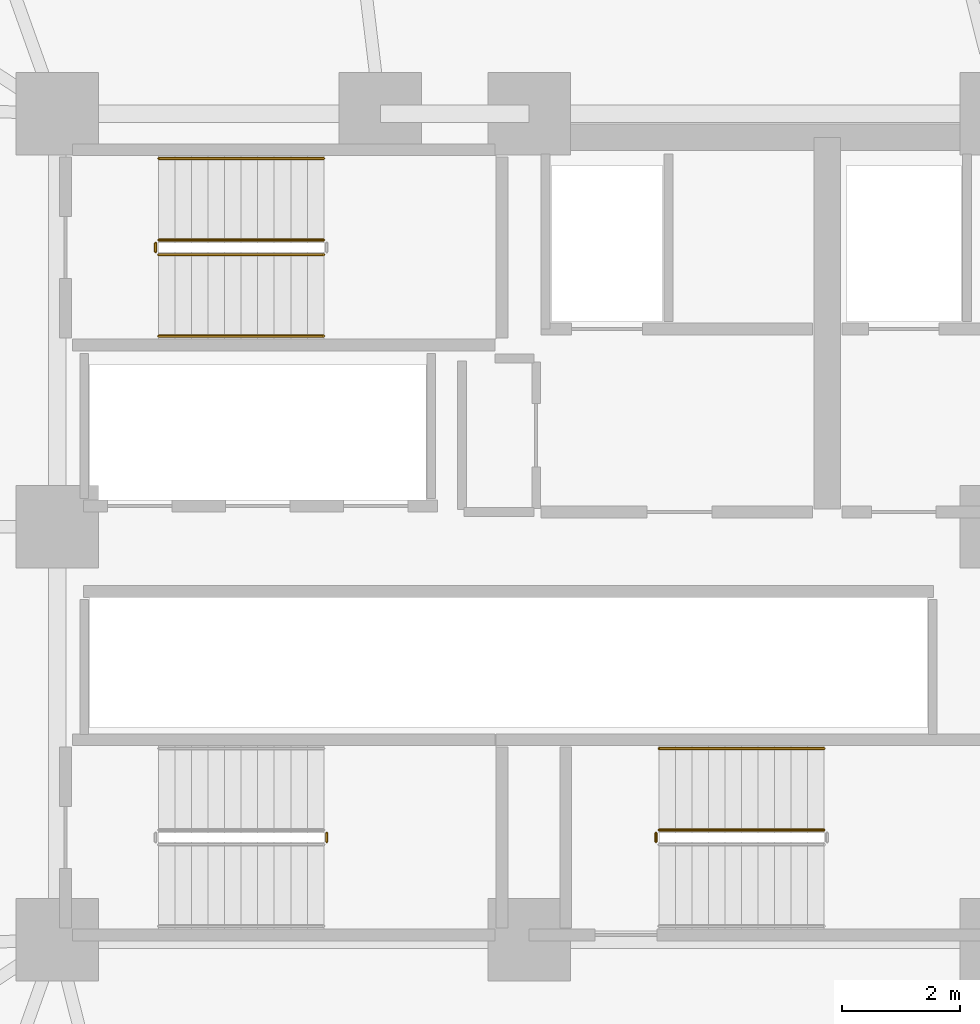
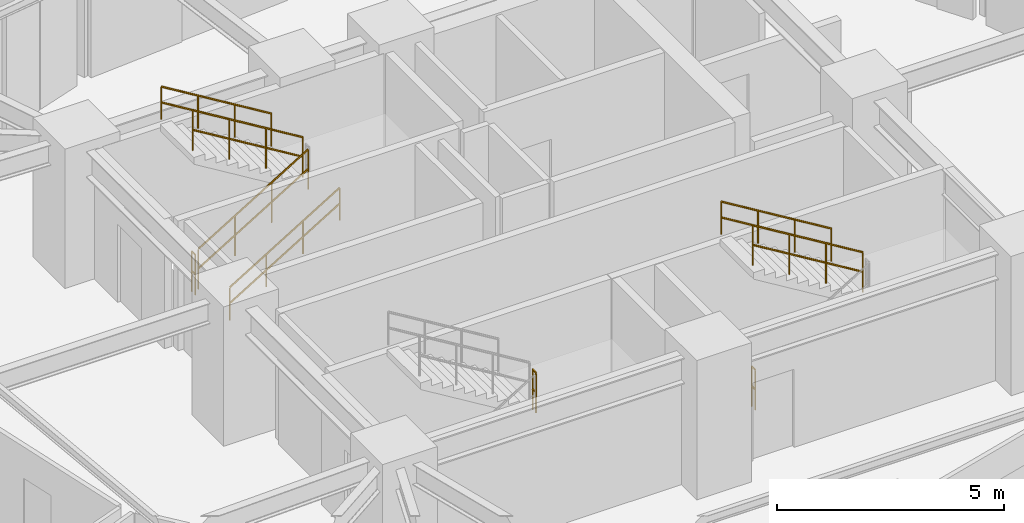
# One storey, part 31 of 33: 9 railings.
"""IFC4 building model written with IfcOpenShell, lengths in metres."""

from ifc_helpers import new_model, si_unit, direction, frame, origin, place, context, subcontext, project, spatial, polyline, outline, extrude, material, type_object, element, save


model = new_model("IFC4")

# Units and contexts
model_context = context("Model", 3, precision=1e-05, world=origin(), true_north=direction((0.0, 1.0)))
body_context = subcontext(model_context, "Body", "Model", "MODEL_VIEW")
ifc_project = project(units=[si_unit("LENGTHUNIT", "METRE"), si_unit("AREAUNIT", "SQUARE_METRE"), si_unit("VOLUMEUNIT", "CUBIC_METRE"), si_unit("PLANEANGLEUNIT", "RADIAN"), si_unit("MASSUNIT", "GRAM", prefix="KILO")], contexts=[model_context])

# Site, building, storey
site_placement = place(None, origin())
site = spatial("IfcSite", under=ifc_project, at=site_placement, CompositionType="ELEMENT")
building_placement = place(site_placement, origin())
building = spatial("IfcBuilding", under=site, at=building_placement, Name="Kelanora Arch Commons", CompositionType="ELEMENT")
storey_placement = place(building_placement, frame((0.0, 0.0, 80.10009765625)))
storey = spatial("IfcBuildingStorey", under=building, at=storey_placement, Name="L20", CompositionType="ELEMENT", Elevation=80.10009765625)

# Railings
ifc_material_1 = material(Name="Painted steel stair well guard", Category="steel")
railing_type_1 = type_object("IfcRailingType", Name="RAIL-STAIR-GRD", PredefinedType="GUARDRAIL", material=ifc_material_1)
railing_1_placement = place(storey_placement, frame((67.719970703125, 62.610107421875, 0.17041015625)))
element("IfcRailing", 1, at=railing_1_placement, inside=storey, type_object=railing_type_1, Name="L20 ST-T1 stair guard 1", PredefinedType="GUARDRAIL", context=body_context, shape_type="SweptSolid", body=[
    extrude(outline(polyline([(0.02392578125, 0.0), (0.011962890625, 0.020751953125), (-0.011962890625, 0.020751953125), (-0.02392578125, 0.0), (-0.011962890625, -0.020751953125), (0.011962890625, -0.020751953125), (0.02392578125, 0.0)])), frame((0.0, 0.0, 1.076171875), z_axis=(0.854169791009, 0.0, 0.51999420009), x_axis=(0.0, 1.0, 0.0)), (0.0, 0.0, 1.0), 3.278076171875),
    extrude(outline(polyline([(0.02392578125, 0.0), (0.011962890625, 0.020751953125), (-0.011962890625, 0.020751953125), (-0.02392578125, 0.0), (-0.011962890625, -0.020751953125), (0.011962890625, -0.020751953125), (0.02392578125, 0.0)])), frame((0.0, 0.0, 0.550048828125), z_axis=(0.854169791009, 0.0, 0.51999420009), x_axis=(0.0, 1.0, 0.0)), (0.0, 0.0, 1.0), 3.278076171875),
    extrude(outline(polyline([(0.02099609375, 0.0), (0.010498046875, 0.01806640625), (-0.010498046875, 0.01806640625), (-0.02099609375, 0.0), (-0.010498046875, -0.01806640625), (0.010498046875, -0.01806640625), (0.02099609375, 0.0)])), origin(), (0.0, 0.0, 1.0), 1.052001953125),
    extrude(outline(polyline([(0.02099609375, 0.0), (0.010498046875, 0.01806640625), (-0.010498046875, 0.01806640625), (-0.02099609375, 0.0), (-0.010498046875, -0.01806640625), (0.010498046875, -0.01806640625), (0.02099609375, 0.0)])), frame((0.933349609375, 0.0, 0.568115234375)), (0.0, 0.0, 1.0), 1.052001953125),
    extrude(outline(polyline([(0.02099609375, 0.0), (0.010498046875, 0.01806640625), (-0.010498046875, 0.01806640625), (-0.02099609375, 0.0), (-0.010498046875, -0.01806640625), (0.010498046875, -0.01806640625), (0.02099609375, 0.0)])), frame((1.86669921875, 0.0, 1.136474609375)), (0.0, 0.0, 1.0), 1.052001953125),
    extrude(outline(polyline([(0.02099609375, 0.0), (0.010498046875, 0.01806640625), (-0.010498046875, 0.01806640625), (-0.02099609375, 0.0), (-0.010498046875, -0.01806640625), (0.010498046875, -0.01806640625), (0.02099609375, 0.0)])), frame((2.800048828125, 0.0, 1.70458984375)), (0.0, 0.0, 1.0), 1.052001953125),
])
railing_2_placement = place(storey_placement, frame((70.52001953125, 62.860107421875, 2.04541015625)))
element("IfcRailing", 2, at=railing_2_placement, inside=storey, type_object=railing_type_1, Name="L20 ST-T1 stair guard 3", PredefinedType="GUARDRAIL", context=body_context, shape_type="SweptSolid", body=[
    extrude(outline(polyline([(0.02392578125, 0.0), (0.011962890625, 0.020751953125), (-0.011962890625, 0.020751953125), (-0.02392578125, 0.0), (-0.011962890625, -0.020751953125), (0.011962890625, -0.020751953125), (0.02392578125, 0.0)])), frame((0.0, 0.0, 1.076171875), z_axis=(-0.854169791009, 0.0, 0.51999420009), x_axis=(0.0, -1.0, 0.0)), (0.0, 0.0, 1.0), 3.278076171875),
    extrude(outline(polyline([(0.02392578125, 0.0), (0.011962890625, 0.020751953125), (-0.011962890625, 0.020751953125), (-0.02392578125, 0.0), (-0.011962890625, -0.020751953125), (0.011962890625, -0.020751953125), (0.02392578125, 0.0)])), frame((0.0, 0.0, 0.550048828125), z_axis=(-0.854169791009, 0.0, 0.51999420009), x_axis=(0.0, -1.0, 0.0)), (0.0, 0.0, 1.0), 3.278076171875),
    extrude(outline(polyline([(0.02099609375, 0.0), (0.010498046875, 0.01806640625), (-0.010498046875, 0.01806640625), (-0.02099609375, 0.0), (-0.010498046875, -0.01806640625), (0.010498046875, -0.01806640625), (0.02099609375, 0.0)])), origin(), (0.0, 0.0, 1.0), 1.052001953125),
    extrude(outline(polyline([(0.02099609375, 0.0), (0.010498046875, 0.01806640625), (-0.010498046875, 0.01806640625), (-0.02099609375, 0.0), (-0.010498046875, -0.01806640625), (0.010498046875, -0.01806640625), (0.02099609375, 0.0)])), frame((-0.933349609375, 0.0, 0.568115234375)), (0.0, 0.0, 1.0), 1.052001953125),
    extrude(outline(polyline([(0.02099609375, 0.0), (0.010498046875, 0.01806640625), (-0.010498046875, 0.01806640625), (-0.02099609375, 0.0), (-0.010498046875, -0.01806640625), (0.010498046875, -0.01806640625), (0.02099609375, 0.0)])), frame((-1.86669921875, 0.0, 1.136474609375)), (0.0, 0.0, 1.0), 1.052001953125),
    extrude(outline(polyline([(0.02099609375, 0.0), (0.010498046875, 0.01806640625), (-0.010498046875, 0.01806640625), (-0.02099609375, 0.0), (-0.010498046875, -0.01806640625), (0.010498046875, -0.01806640625), (0.02099609375, 0.0)])), frame((-2.800048828125, 0.0, 1.70458984375)), (0.0, 0.0, 1.0), 1.052001953125),
])
railing_3_placement = place(storey_placement, frame((67.669921875, 62.659912109375, 0.0)))
element("IfcRailing", 3, at=railing_3_placement, inside=storey, type_object=railing_type_1, Name="L20 ST-T1 stair guard 4", PredefinedType="GUARDRAIL", context=body_context, shape_type="SweptSolid", body=[
    extrude(outline(polyline([(0.02392578125, 0.0), (0.011962890625, 0.020751953125), (-0.011962890625, 0.020751953125), (-0.02392578125, 0.0), (-0.011962890625, -0.020751953125), (0.011962890625, -0.020751953125), (0.02392578125, 0.0)])), frame((0.0, 0.0, 1.076171875), z_axis=(0.0, 1.0, 0.0), x_axis=(-1.0, 0.0, 0.0)), (0.0, 0.0, 1.0), 0.150146484375),
    extrude(outline(polyline([(0.02392578125, 0.0), (0.011962890625, 0.020751953125), (-0.011962890625, 0.020751953125), (-0.02392578125, 0.0), (-0.011962890625, -0.020751953125), (0.011962890625, -0.020751953125), (0.02392578125, 0.0)])), frame((0.0, 0.0, 0.550048828125), z_axis=(0.0, 1.0, 0.0), x_axis=(-1.0, 0.0, 0.0)), (0.0, 0.0, 1.0), 0.150146484375),
    extrude(outline(polyline([(0.02099609375, 0.0), (0.010498046875, 0.01806640625), (-0.010498046875, 0.01806640625), (-0.02099609375, 0.0), (-0.010498046875, -0.01806640625), (0.010498046875, -0.01806640625), (0.02099609375, 0.0)])), origin(), (0.0, 0.0, 1.0), 1.052001953125),
    extrude(outline(polyline([(0.02099609375, 0.0), (0.010498046875, 0.01806640625), (-0.010498046875, 0.01806640625), (-0.02099609375, 0.0), (-0.010498046875, -0.01806640625), (0.010498046875, -0.01806640625), (0.02099609375, 0.0)])), frame((0.0, 0.150146484375, 0.0)), (0.0, 0.0, 1.0), 1.052001953125),
])
railing_4_placement = place(storey_placement, frame((79.0, 52.860107421875, 2.04541015625)))
element("IfcRailing", 4, at=railing_4_placement, inside=storey, type_object=railing_type_1, Name="L20 ST-T2 stair guard 3", PredefinedType="GUARDRAIL", context=body_context, shape_type="SweptSolid", body=[
    extrude(outline(polyline([(0.02392578125, 0.0), (0.011962890625, 0.020751953125), (-0.011962890625, 0.020751953125), (-0.02392578125, 0.0), (-0.011962890625, -0.020751953125), (0.011962890625, -0.020751953125), (0.02392578125, 0.0)])), frame((0.0, 0.0, 1.076171875), z_axis=(-0.854169791009, 0.0, 0.51999420009), x_axis=(0.0, -1.0, 0.0)), (0.0, 0.0, 1.0), 3.278076171875),
    extrude(outline(polyline([(0.02392578125, 0.0), (0.011962890625, 0.020751953125), (-0.011962890625, 0.020751953125), (-0.02392578125, 0.0), (-0.011962890625, -0.020751953125), (0.011962890625, -0.020751953125), (0.02392578125, 0.0)])), frame((0.0, 0.0, 0.550048828125), z_axis=(-0.854169791009, 0.0, 0.51999420009), x_axis=(0.0, -1.0, 0.0)), (0.0, 0.0, 1.0), 3.278076171875),
    extrude(outline(polyline([(0.02099609375, 0.0), (0.010498046875, 0.01806640625), (-0.010498046875, 0.01806640625), (-0.02099609375, 0.0), (-0.010498046875, -0.01806640625), (0.010498046875, -0.01806640625), (0.02099609375, 0.0)])), origin(), (0.0, 0.0, 1.0), 1.052001953125),
    extrude(outline(polyline([(0.02099609375, 0.0), (0.010498046875, 0.01806640625), (-0.010498046875, 0.01806640625), (-0.02099609375, 0.0), (-0.010498046875, -0.01806640625), (0.010498046875, -0.01806640625), (0.02099609375, 0.0)])), frame((-0.933349609375, 0.0, 0.568115234375)), (0.0, 0.0, 1.0), 1.052001953125),
    extrude(outline(polyline([(0.02099609375, 0.0), (0.010498046875, 0.01806640625), (-0.010498046875, 0.01806640625), (-0.02099609375, 0.0), (-0.010498046875, -0.01806640625), (0.010498046875, -0.01806640625), (0.02099609375, 0.0)])), frame((-1.86669921875, 0.0, 1.136474609375)), (0.0, 0.0, 1.0), 1.052001953125),
    extrude(outline(polyline([(0.02099609375, 0.0), (0.010498046875, 0.01806640625), (-0.010498046875, 0.01806640625), (-0.02099609375, 0.0), (-0.010498046875, -0.01806640625), (0.010498046875, -0.01806640625), (0.02099609375, 0.0)])), frame((-2.800048828125, 0.0, 1.70458984375)), (0.0, 0.0, 1.0), 1.052001953125),
])
for number, where, name in (
    (5, (76.14990234375, 52.659912109375, 0.0), "L20 ST-T2 stair guard 4"),
    (6, (70.570068359375, 52.659912109375, 1.875), "L20 ST-T3 stair guard 2"),
):
    element("IfcRailing", number, at=place(storey_placement, frame(where)), inside=storey, type_object=railing_type_1, Name=name, PredefinedType="GUARDRAIL", context=body_context, shape_type="SweptSolid", body=[
        extrude(outline(polyline([(0.02392578125, 0.0), (0.011962890625, 0.020751953125), (-0.011962890625, 0.020751953125), (-0.02392578125, 0.0), (-0.011962890625, -0.020751953125), (0.011962890625, -0.020751953125), (0.02392578125, 0.0)])), frame((0.0, 0.0, 1.076171875), z_axis=(0.0, 1.0, 0.0), x_axis=(-1.0, 0.0, 0.0)), (0.0, 0.0, 1.0), 0.150146484375),
        extrude(outline(polyline([(0.02392578125, 0.0), (0.011962890625, 0.020751953125), (-0.011962890625, 0.020751953125), (-0.02392578125, 0.0), (-0.011962890625, -0.020751953125), (0.011962890625, -0.020751953125), (0.02392578125, 0.0)])), frame((0.0, 0.0, 0.550048828125), z_axis=(0.0, 1.0, 0.0), x_axis=(-1.0, 0.0, 0.0)), (0.0, 0.0, 1.0), 0.150146484375),
        extrude(outline(polyline([(0.02099609375, 0.0), (0.010498046875, 0.01806640625), (-0.010498046875, 0.01806640625), (-0.02099609375, 0.0), (-0.010498046875, -0.01806640625), (0.010498046875, -0.01806640625), (0.02099609375, 0.0)])), origin(), (0.0, 0.0, 1.0), 1.052001953125),
        extrude(outline(polyline([(0.02099609375, 0.0), (0.010498046875, 0.01806640625), (-0.010498046875, 0.01806640625), (-0.02099609375, 0.0), (-0.010498046875, -0.01806640625), (0.010498046875, -0.01806640625), (0.02099609375, 0.0)])), frame((0.0, 0.150146484375, 0.0)), (0.0, 0.0, 1.0), 1.052001953125),
    ])
ifc_material_2 = material(Name="Brushed stainless steel stair handrail", Category="steel")
railing_type_2 = type_object("IfcRailingType", Name="RAIL-STAIR-HND", PredefinedType="HANDRAIL", material=ifc_material_2)
railing_5_placement = place(storey_placement, frame((67.719970703125, 61.22998046875, 0.17041015625)))
element("IfcRailing", 7, at=railing_5_placement, inside=storey, type_object=railing_type_2, Name="L20 ST-T1 stair handrail 1", PredefinedType="HANDRAIL", context=body_context, shape_type="SweptSolid", body=[
    extrude(outline(polyline([(0.02392578125, 0.0), (0.011962890625, 0.020751953125), (-0.011962890625, 0.020751953125), (-0.02392578125, 0.0), (-0.011962890625, -0.020751953125), (0.011962890625, -0.020751953125), (0.02392578125, 0.0)])), frame((0.0, 0.0, 0.8759765625), z_axis=(0.854169791009, 0.0, 0.51999420009), x_axis=(0.0, 1.0, 0.0)), (0.0, 0.0, 1.0), 3.278076171875),
    extrude(outline(polyline([(0.02392578125, 0.0), (0.011962890625, 0.020751953125), (-0.011962890625, 0.020751953125), (-0.02392578125, 0.0), (-0.011962890625, -0.020751953125), (0.011962890625, -0.020751953125), (0.02392578125, 0.0)])), frame((0.0, 0.0, 0.449951171875), z_axis=(0.854169791009, 0.0, 0.51999420009), x_axis=(0.0, 1.0, 0.0)), (0.0, 0.0, 1.0), 3.278076171875),
    extrude(outline(polyline([(0.02099609375, 0.0), (0.010498046875, 0.01806640625), (-0.010498046875, 0.01806640625), (-0.02099609375, 0.0), (-0.010498046875, -0.01806640625), (0.010498046875, -0.01806640625), (0.02099609375, 0.0)])), origin(), (0.0, 0.0, 1.0), 0.851806640625),
    extrude(outline(polyline([(0.02099609375, 0.0), (0.010498046875, 0.01806640625), (-0.010498046875, 0.01806640625), (-0.02099609375, 0.0), (-0.010498046875, -0.01806640625), (0.010498046875, -0.01806640625), (0.02099609375, 0.0)])), frame((0.933349609375, 0.0, 0.568115234375)), (0.0, 0.0, 1.0), 0.851806640625),
    extrude(outline(polyline([(0.02099609375, 0.0), (0.010498046875, 0.01806640625), (-0.010498046875, 0.01806640625), (-0.02099609375, 0.0), (-0.010498046875, -0.01806640625), (0.010498046875, -0.01806640625), (0.02099609375, 0.0)])), frame((1.86669921875, 0.0, 1.136474609375)), (0.0, 0.0, 1.0), 0.851806640625),
    extrude(outline(polyline([(0.02099609375, 0.0), (0.010498046875, 0.01806640625), (-0.010498046875, 0.01806640625), (-0.02099609375, 0.0), (-0.010498046875, -0.01806640625), (0.010498046875, -0.01806640625), (0.02099609375, 0.0)])), frame((2.800048828125, 0.0, 1.70458984375)), (0.0, 0.0, 1.0), 0.851806640625),
])
railing_6_placement = place(storey_placement, frame((70.52001953125, 64.239990234375, 2.04541015625)))
element("IfcRailing", 8, at=railing_6_placement, inside=storey, type_object=railing_type_2, Name="L20 ST-T1 stair handrail 2", PredefinedType="HANDRAIL", context=body_context, shape_type="SweptSolid", body=[
    extrude(outline(polyline([(0.02392578125, 0.0), (0.011962890625, 0.020751953125), (-0.011962890625, 0.020751953125), (-0.02392578125, 0.0), (-0.011962890625, -0.020751953125), (0.011962890625, -0.020751953125), (0.02392578125, 0.0)])), frame((0.0, 0.0, 0.8759765625), z_axis=(-0.854169791009, 0.0, 0.51999420009), x_axis=(0.0, -1.0, 0.0)), (0.0, 0.0, 1.0), 3.278076171875),
    extrude(outline(polyline([(0.02392578125, 0.0), (0.011962890625, 0.020751953125), (-0.011962890625, 0.020751953125), (-0.02392578125, 0.0), (-0.011962890625, -0.020751953125), (0.011962890625, -0.020751953125), (0.02392578125, 0.0)])), frame((0.0, 0.0, 0.449951171875), z_axis=(-0.854169791009, 0.0, 0.51999420009), x_axis=(0.0, -1.0, 0.0)), (0.0, 0.0, 1.0), 3.278076171875),
    extrude(outline(polyline([(0.02099609375, 0.0), (0.010498046875, 0.01806640625), (-0.010498046875, 0.01806640625), (-0.02099609375, 0.0), (-0.010498046875, -0.01806640625), (0.010498046875, -0.01806640625), (0.02099609375, 0.0)])), origin(), (0.0, 0.0, 1.0), 0.851806640625),
    extrude(outline(polyline([(0.02099609375, 0.0), (0.010498046875, 0.01806640625), (-0.010498046875, 0.01806640625), (-0.02099609375, 0.0), (-0.010498046875, -0.01806640625), (0.010498046875, -0.01806640625), (0.02099609375, 0.0)])), frame((-0.933349609375, 0.0, 0.568115234375)), (0.0, 0.0, 1.0), 0.851806640625),
    extrude(outline(polyline([(0.02099609375, 0.0), (0.010498046875, 0.01806640625), (-0.010498046875, 0.01806640625), (-0.02099609375, 0.0), (-0.010498046875, -0.01806640625), (0.010498046875, -0.01806640625), (0.02099609375, 0.0)])), frame((-1.86669921875, 0.0, 1.136474609375)), (0.0, 0.0, 1.0), 0.851806640625),
    extrude(outline(polyline([(0.02099609375, 0.0), (0.010498046875, 0.01806640625), (-0.010498046875, 0.01806640625), (-0.02099609375, 0.0), (-0.010498046875, -0.01806640625), (0.010498046875, -0.01806640625), (0.02099609375, 0.0)])), frame((-2.800048828125, 0.0, 1.70458984375)), (0.0, 0.0, 1.0), 0.851806640625),
])
railing_7_placement = place(storey_placement, frame((79.0, 54.239990234375, 2.04541015625)))
element("IfcRailing", 9, at=railing_7_placement, inside=storey, type_object=railing_type_2, Name="L20 ST-T2 stair handrail 2", PredefinedType="HANDRAIL", context=body_context, shape_type="SweptSolid", body=[
    extrude(outline(polyline([(0.02392578125, 0.0), (0.011962890625, 0.020751953125), (-0.011962890625, 0.020751953125), (-0.02392578125, 0.0), (-0.011962890625, -0.020751953125), (0.011962890625, -0.020751953125), (0.02392578125, 0.0)])), frame((0.0, 0.0, 0.8759765625), z_axis=(-0.854169791009, 0.0, 0.51999420009), x_axis=(0.0, -1.0, 0.0)), (0.0, 0.0, 1.0), 3.278076171875),
    extrude(outline(polyline([(0.02392578125, 0.0), (0.011962890625, 0.020751953125), (-0.011962890625, 0.020751953125), (-0.02392578125, 0.0), (-0.011962890625, -0.020751953125), (0.011962890625, -0.020751953125), (0.02392578125, 0.0)])), frame((0.0, 0.0, 0.449951171875), z_axis=(-0.854169791009, 0.0, 0.51999420009), x_axis=(0.0, -1.0, 0.0)), (0.0, 0.0, 1.0), 3.278076171875),
    extrude(outline(polyline([(0.02099609375, 0.0), (0.010498046875, 0.01806640625), (-0.010498046875, 0.01806640625), (-0.02099609375, 0.0), (-0.010498046875, -0.01806640625), (0.010498046875, -0.01806640625), (0.02099609375, 0.0)])), origin(), (0.0, 0.0, 1.0), 0.851806640625),
    extrude(outline(polyline([(0.02099609375, 0.0), (0.010498046875, 0.01806640625), (-0.010498046875, 0.01806640625), (-0.02099609375, 0.0), (-0.010498046875, -0.01806640625), (0.010498046875, -0.01806640625), (0.02099609375, 0.0)])), frame((-0.933349609375, 0.0, 0.568115234375)), (0.0, 0.0, 1.0), 0.851806640625),
    extrude(outline(polyline([(0.02099609375, 0.0), (0.010498046875, 0.01806640625), (-0.010498046875, 0.01806640625), (-0.02099609375, 0.0), (-0.010498046875, -0.01806640625), (0.010498046875, -0.01806640625), (0.02099609375, 0.0)])), frame((-1.86669921875, 0.0, 1.136474609375)), (0.0, 0.0, 1.0), 0.851806640625),
    extrude(outline(polyline([(0.02099609375, 0.0), (0.010498046875, 0.01806640625), (-0.010498046875, 0.01806640625), (-0.02099609375, 0.0), (-0.010498046875, -0.01806640625), (0.010498046875, -0.01806640625), (0.02099609375, 0.0)])), frame((-2.800048828125, 0.0, 1.70458984375)), (0.0, 0.0, 1.0), 0.851806640625),
])

save(model, "model.ifc")
